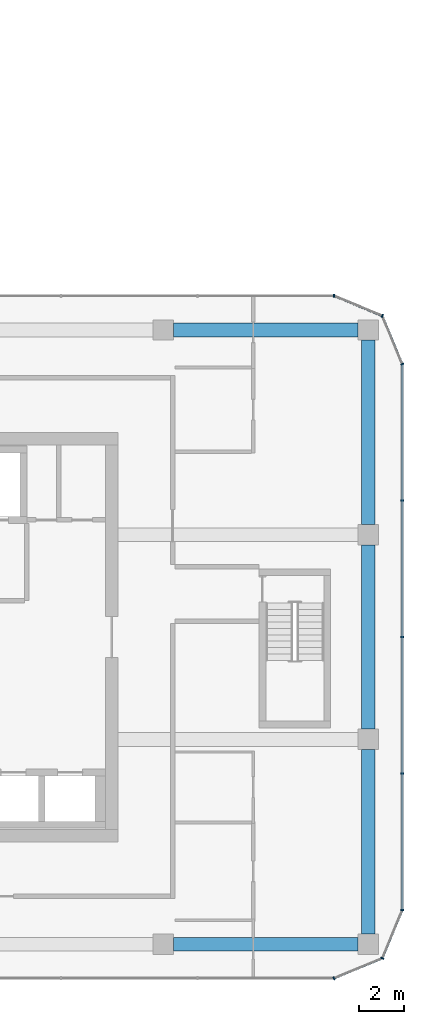
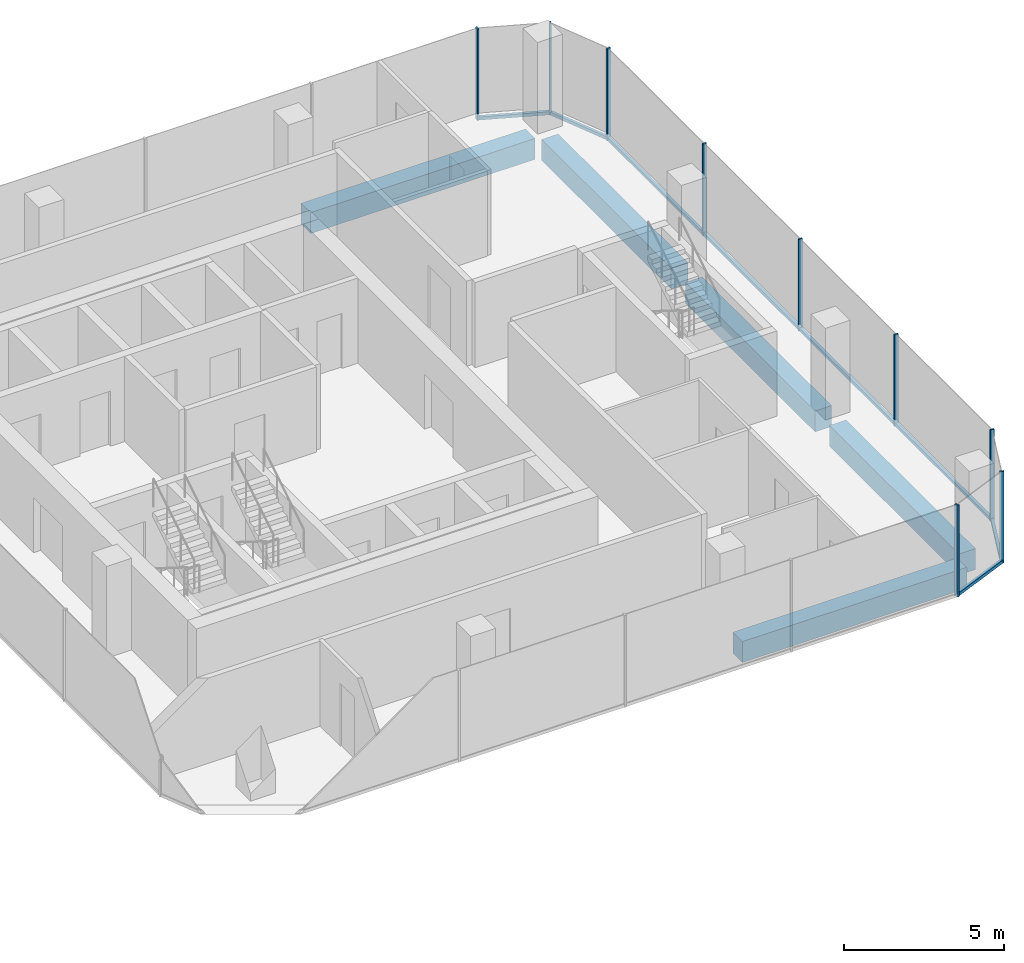
# One storey, part 10 of 23: 14 members, 5 beams, 6 elements without a shape of their own.
"""IFC4 building model written with IfcOpenShell, lengths in metres."""

from ifc_helpers import new_model, si_unit, direction, frame, origin, origin_2d, place, context, subcontext, project, spatial, rectangle, extrude, material, layer, layer_set, material_profile, profile_set, type_object, element, aggregate, save


model = new_model("IFC4")

# Units and contexts
model_context = context("Model", 3, precision=1e-05, world=origin(), true_north=direction((0.0, 1.0)))
body_context = subcontext(model_context, "Body", "Model", "MODEL_VIEW")
ifc_project = project(units=[si_unit("LENGTHUNIT", "METRE"), si_unit("AREAUNIT", "SQUARE_METRE"), si_unit("VOLUMEUNIT", "CUBIC_METRE"), si_unit("PLANEANGLEUNIT", "RADIAN"), si_unit("MASSUNIT", "GRAM", prefix="KILO")], contexts=[model_context])

# Site, building, storey
site_placement = place(None, origin())
site = spatial("IfcSite", under=ifc_project, at=site_placement, CompositionType="ELEMENT")
building_placement = place(site_placement, origin())
building = spatial("IfcBuilding", under=site, at=building_placement, Name="Plateau Cross Towers", CompositionType="ELEMENT")
storey_placement = place(building_placement, frame((0.0, 0.0, 37.300048828125)))
storey = spatial("IfcBuildingStorey", under=building, at=storey_placement, Name="L08", CompositionType="ELEMENT", Elevation=37.300048828125)

# Curtain wall, member
ifc_material_1 = material(Name="Dark low-iron glass", Category="glass")
ifc_layer = layer(ifc_material_1, 0.239990234375)
ifc_layer_set = layer_set([ifc_layer], Name="Dark low-iron glass")
curtain_wall_type = type_object("IfcCurtainWallType", Name="Curtain wall office unitised CW-F", PredefinedType="NOTDEFINED", material=ifc_layer_set)
curtain_wall_1_placement = place(storey_placement, origin())
curtain_wall_1 = element("IfcCurtainWall", 1, at=curtain_wall_1_placement, inside=storey, type_object=curtain_wall_type, Name="ENV/B/L08/B990_-60", PredefinedType="NOTDEFINED")
ifc_material_2 = material(Name="Black anodised aluminium", Category="aluminium")
ifc_material_profile_1 = material_profile(ifc_material_2, rectangle(XDim=0.06005859375, YDim=0.139892578125, at=origin_2d()), Name="MULLION 60x140")
ifc_profile_set_1 = profile_set([ifc_material_profile_1], Name="Black anodised aluminium")
member_type_1 = type_object("IfcMemberType", Name="Mullion 60x140 office unitised", PredefinedType="MULLION", material=ifc_profile_set_1)
member_1_placement = place(storey_placement, frame((99.0, -6.0, -0.25), z_axis=(0.0, 0.0, 1.0), x_axis=(0.923879457699, 0.382683612978, 0.0)))
member_1 = element("IfcMember", 2, at=member_1_placement, type_object=member_type_1, Name="CW-F mullion 1", PredefinedType="MULLION", context=body_context, shape_type="SweptSolid", body=[
    extrude(rectangle(XDim=0.06005859375, YDim=0.139892578125, at=origin_2d()), origin(), (0.0, 0.0, 1.0), 3.5),
])

curtain_wall_2_placement = place(storey_placement, origin())
curtain_wall_2 = element("IfcCurtainWall", 3, at=curtain_wall_2_placement, inside=storey, type_object=curtain_wall_type, Name="ENV/B/L08/B1011_-51", PredefinedType="NOTDEFINED")
member_2_placement = place(storey_placement, frame((101.121337890625, -5.121337890625, -0.25), z_axis=(0.0, 0.0, 1.0), x_axis=(0.382683612978, 0.923879457699, 0.0)))
member_2 = element("IfcMember", 4, at=member_2_placement, type_object=member_type_1, Name="CW-F mullion 1", PredefinedType="MULLION", context=body_context, shape_type="SweptSolid", body=[
    extrude(rectangle(XDim=0.06005859375, YDim=0.139892578125, at=origin_2d()), origin(), (0.0, 0.0, 1.0), 3.5),
])

# Curtain wall, members
curtain_wall_3_placement = place(storey_placement, origin())
curtain_wall_3 = element("IfcCurtainWall", 5, at=curtain_wall_3_placement, inside=storey, type_object=curtain_wall_type, Name="ENV/B/L08/B1020_-30", PredefinedType="NOTDEFINED")
member_3_placement = place(storey_placement, frame((102.0, -3.0, -0.25), z_axis=(0.0, 0.0, 1.0), x_axis=(0.0, 1.0, 0.0)))
member_3 = element("IfcMember", 6, at=member_3_placement, type_object=member_type_1, Name="CW-F mullion 1", PredefinedType="MULLION", context=body_context, shape_type="SweptSolid", body=[
    extrude(rectangle(XDim=0.06005859375, YDim=0.139892578125, at=origin_2d()), origin(), (0.0, 0.0, 1.0), 3.5),
])
member_4_placement = place(storey_placement, frame((102.0, 3.0, -0.25), z_axis=(0.0, 0.0, 1.0), x_axis=(0.0, 1.0, 0.0)))
member_4 = element("IfcMember", 7, at=member_4_placement, type_object=member_type_1, Name="CW-F mullion 2", PredefinedType="MULLION", context=body_context, shape_type="SweptSolid", body=[
    extrude(rectangle(XDim=0.06005859375, YDim=0.139892578125, at=origin_2d()), origin(), (0.0, 0.0, 1.0), 3.5),
])
member_5_placement = place(storey_placement, frame((102.0, 9.0, -0.25), z_axis=(0.0, 0.0, 1.0), x_axis=(0.0, 1.0, 0.0)))
member_5 = element("IfcMember", 8, at=member_5_placement, type_object=member_type_1, Name="CW-F mullion 3", PredefinedType="MULLION", context=body_context, shape_type="SweptSolid", body=[
    extrude(rectangle(XDim=0.06005859375, YDim=0.139892578125, at=origin_2d()), origin(), (0.0, 0.0, 1.0), 3.5),
])
member_6_placement = place(storey_placement, frame((102.0, 15.0, -0.25), z_axis=(0.0, 0.0, 1.0), x_axis=(0.0, 1.0, 0.0)))
member_6 = element("IfcMember", 9, at=member_6_placement, type_object=member_type_1, Name="CW-F mullion 4", PredefinedType="MULLION", context=body_context, shape_type="SweptSolid", body=[
    extrude(rectangle(XDim=0.06005859375, YDim=0.139892578125, at=origin_2d()), origin(), (0.0, 0.0, 1.0), 3.5),
])

# Curtain wall, member
curtain_wall_4_placement = place(storey_placement, origin())
curtain_wall_4 = element("IfcCurtainWall", 10, at=curtain_wall_4_placement, inside=storey, type_object=curtain_wall_type, Name="ENV/B/L08/B1020_210", PredefinedType="NOTDEFINED")
member_7_placement = place(storey_placement, frame((102.0, 21.0, -0.25), z_axis=(0.0, 0.0, 1.0), x_axis=(-0.382683612978, 0.923879457699, 0.0)))
member_7 = element("IfcMember", 11, at=member_7_placement, type_object=member_type_1, Name="CW-F mullion 1", PredefinedType="MULLION", context=body_context, shape_type="SweptSolid", body=[
    extrude(rectangle(XDim=0.06005859375, YDim=0.139892578125, at=origin_2d()), origin(), (0.0, 0.0, 1.0), 3.5),
])

curtain_wall_5_placement = place(storey_placement, origin())
curtain_wall_5 = element("IfcCurtainWall", 12, at=curtain_wall_5_placement, inside=storey, type_object=curtain_wall_type, Name="ENV/B/L08/B1011_231", PredefinedType="NOTDEFINED")
member_8_placement = place(storey_placement, frame((101.121337890625, 23.121337890625, -0.25), z_axis=(0.0, 0.0, 1.0), x_axis=(-0.923879457699, 0.382683612978, 0.0)))
member_8 = element("IfcMember", 13, at=member_8_placement, type_object=member_type_1, Name="CW-F mullion 1", PredefinedType="MULLION", context=body_context, shape_type="SweptSolid", body=[
    extrude(rectangle(XDim=0.06005859375, YDim=0.139892578125, at=origin_2d()), origin(), (0.0, 0.0, 1.0), 3.5),
])

curtain_wall_6_placement = place(storey_placement, origin())
curtain_wall_6 = element("IfcCurtainWall", 14, at=curtain_wall_6_placement, inside=storey, type_object=curtain_wall_type, Name="ENV/B/L08/B990_240", PredefinedType="NOTDEFINED")
member_9_placement = place(storey_placement, frame((99.0, 24.0, -0.25), z_axis=(0.0, 0.0, 1.0), x_axis=(-1.0, 0.0, 0.0)))
member_9 = element("IfcMember", 15, at=member_9_placement, type_object=member_type_1, Name="CW-F mullion 1", PredefinedType="MULLION", context=body_context, shape_type="SweptSolid", body=[
    extrude(rectangle(XDim=0.06005859375, YDim=0.139892578125, at=origin_2d()), origin(), (0.0, 0.0, 1.0), 3.5),
])
aggregate(curtain_wall_6, [member_9])

# Beams
ifc_material_3 = material(Name="Concrete C60/75", Category="concrete")
ifc_material_profile_2 = material_profile(ifc_material_3, rectangle(XDim=0.60009765625, YDim=0.800048828125, at=origin_2d()), Name="RC 600x800")
ifc_profile_set_2 = profile_set([ifc_material_profile_2], Name="Concrete C60/75")
beam_type = type_object("IfcBeamType", Name="Ring beam RC 600x800", PredefinedType="BEAM", material=ifc_profile_set_2)
for number, where, z_axis, x_axis, name in (
    (16, (91.949951171875, -4.5, -0.650146484375), (1.0, 0.0, 0.0), (0.0, 1.0, 0.0), "B-RB02@L08"),
    (17, (100.5, -4.050048828125, -0.650146484375), (0.0, 1.0, 0.0), (-1.0, 0.0, 0.0), "B-RB03@L08"),
    (18, (100.5, 4.949951171875, -0.650146484375), (0.0, 1.0, 0.0), (-1.0, 0.0, 0.0), "B-RB04@L08"),
    (19, (100.5, 13.949951171875, -0.650146484375), (0.0, 1.0, 0.0), (-1.0, 0.0, 0.0), "B-RB05@L08"),
    (20, (100.050048828125, 22.5, -0.650146484375), (-1.0, 0.0, 0.0), (0.0, -1.0, 0.0), "B-RB06@L08"),
):
    element("IfcBeam", number, at=place(storey_placement, frame(where, z_axis=z_axis, x_axis=x_axis)), inside=storey, type_object=beam_type, Name=name, PredefinedType="BEAM", context=body_context, shape_type="SweptSolid", body=[
        extrude(rectangle(XDim=0.60009765625, YDim=0.800048828125, at=origin_2d()), origin(), (0.0, 0.0, 1.0), 8.10009765625),
    ])

# Member
ifc_material_profile_3 = material_profile(ifc_material_2, rectangle(XDim=0.10009765625, YDim=0.1201171875, at=origin_2d()), Name="TRANSOM 100x120")
ifc_profile_set_3 = profile_set([ifc_material_profile_3], Name="Black anodised aluminium")
member_type_2 = type_object("IfcMemberType", Name="Transom 100x120 office unitised", PredefinedType="USERDEFINED", material=ifc_profile_set_3)
member_10_placement = place(storey_placement, frame((99.0, -6.0, -0.18994140625), z_axis=(0.923883353507, 0.382674207535, 0.0), x_axis=(-0.382674207535, 0.923883353507, 0.0)))
member_10 = element("IfcMember", 21, at=member_10_placement, type_object=member_type_2, Name="CW-F transom", ObjectType="TRANSOM", PredefinedType="USERDEFINED", context=body_context, shape_type="SweptSolid", body=[
    extrude(rectangle(XDim=0.10009765625, YDim=0.1201171875, at=origin_2d()), origin(), (0.0, 0.0, 1.0), 2.296142578125),
])

aggregate(curtain_wall_1, [member_1, member_10])

member_11_placement = place(storey_placement, frame((101.121337890625, -5.121337890625, -0.18994140625), z_axis=(0.382674207535, 0.923883353507, 0.0), x_axis=(-0.923883353507, 0.382674207535, 0.0)))
member_11 = element("IfcMember", 22, at=member_11_placement, type_object=member_type_2, Name="CW-F transom", ObjectType="TRANSOM", PredefinedType="USERDEFINED", context=body_context, shape_type="SweptSolid", body=[
    extrude(rectangle(XDim=0.10009765625, YDim=0.1201171875, at=origin_2d()), origin(), (0.0, 0.0, 1.0), 2.296142578125),
])

aggregate(curtain_wall_2, [member_2, member_11])

member_12_placement = place(storey_placement, frame((102.0, -3.0, -0.18994140625), z_axis=(0.0, 1.0, 0.0), x_axis=(-1.0, 0.0, 0.0)))
member_12 = element("IfcMember", 23, at=member_12_placement, type_object=member_type_2, Name="CW-F transom", ObjectType="TRANSOM", PredefinedType="USERDEFINED", context=body_context, shape_type="SweptSolid", body=[
    extrude(rectangle(XDim=0.10009765625, YDim=0.1201171875, at=origin_2d()), origin(), (0.0, 0.0, 1.0), 24.0),
])

aggregate(curtain_wall_3, [member_3, member_4, member_5, member_6, member_12])

member_13_placement = place(storey_placement, frame((102.0, 21.0, -0.18994140625), z_axis=(-0.382674207535, 0.923883353507, 0.0), x_axis=(-0.923883353507, -0.382674207535, 0.0)))
member_13 = element("IfcMember", 24, at=member_13_placement, type_object=member_type_2, Name="CW-F transom", ObjectType="TRANSOM", PredefinedType="USERDEFINED", context=body_context, shape_type="SweptSolid", body=[
    extrude(rectangle(XDim=0.10009765625, YDim=0.1201171875, at=origin_2d()), origin(), (0.0, 0.0, 1.0), 2.296142578125),
])

aggregate(curtain_wall_4, [member_7, member_13])

member_14_placement = place(storey_placement, frame((101.121337890625, 23.121337890625, -0.18994140625), z_axis=(-0.923883353507, 0.382674207535, 0.0), x_axis=(-0.382674207535, -0.923883353507, 0.0)))
member_14 = element("IfcMember", 25, at=member_14_placement, type_object=member_type_2, Name="CW-F transom", ObjectType="TRANSOM", PredefinedType="USERDEFINED", context=body_context, shape_type="SweptSolid", body=[
    extrude(rectangle(XDim=0.10009765625, YDim=0.1201171875, at=origin_2d()), origin(), (0.0, 0.0, 1.0), 2.296142578125),
])

aggregate(curtain_wall_5, [member_8, member_14])

save(model, "model.ifc")
